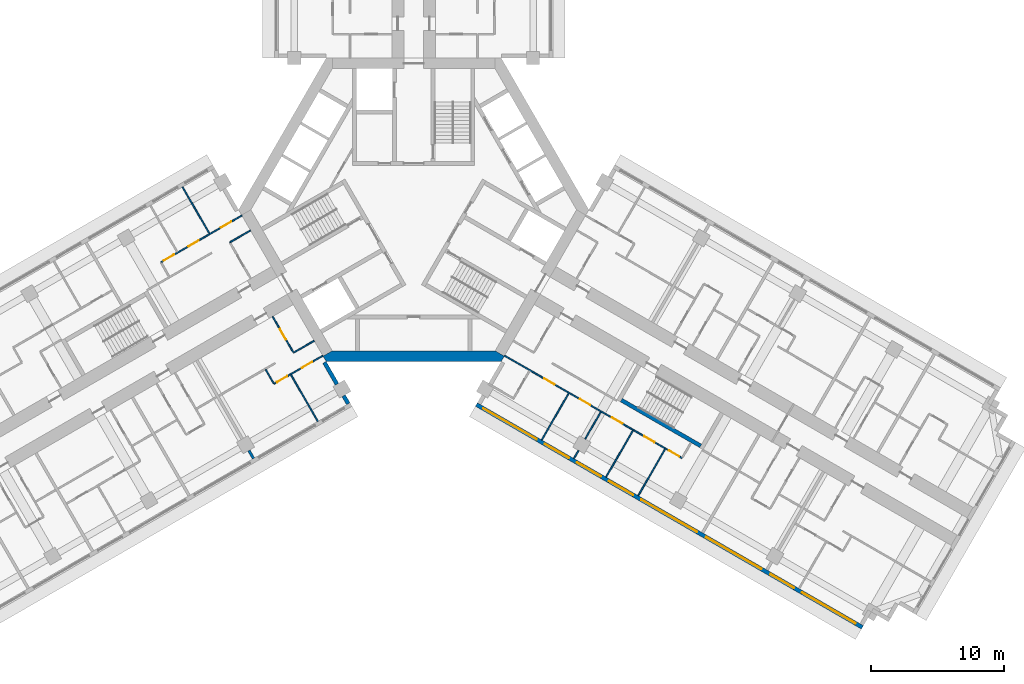
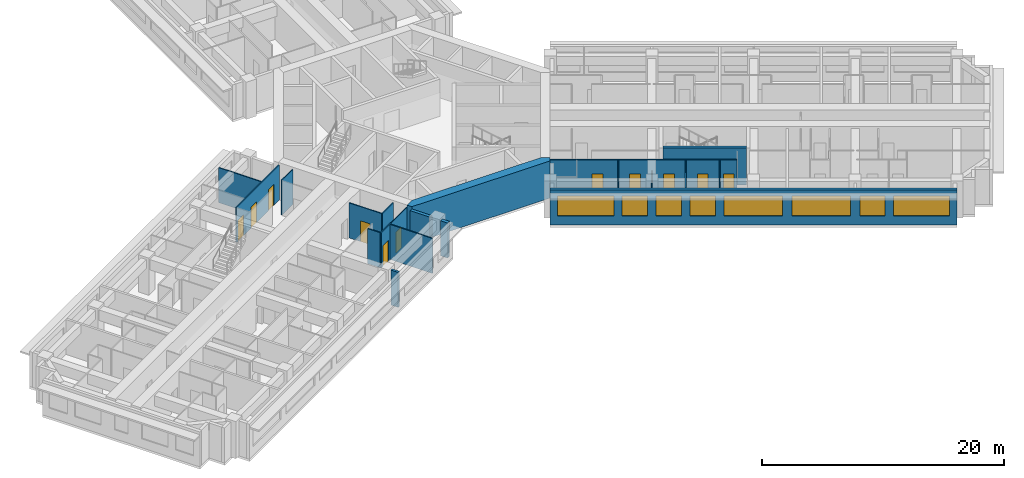
# One storey, part 6 of 15: 20 walls, 11 doors, 8 windows, 19 openings.
"""IFC4 building model written with IfcOpenShell, lengths in metres."""

from ifc_helpers import new_model, si_unit, direction, frame, frame_2d, origin, place, context, subcontext, project, spatial, polyline, rectangle, outline, extrude, material, layer, layer_set, type_object, element, fill, save


model = new_model("IFC4")

# Units and contexts
model_context = context("Model", 3, precision=1e-05, world=origin(), true_north=direction((0.0, 1.0)))
body_context = subcontext(model_context, "Body", "Model", "MODEL_VIEW")
ifc_project = project(units=[si_unit("LENGTHUNIT", "METRE"), si_unit("AREAUNIT", "SQUARE_METRE"), si_unit("VOLUMEUNIT", "CUBIC_METRE"), si_unit("PLANEANGLEUNIT", "RADIAN"), si_unit("MASSUNIT", "GRAM", prefix="KILO")], contexts=[model_context])

# Site, building, storey
site_placement = place(None, origin())
site = spatial("IfcSite", under=ifc_project, at=site_placement, CompositionType="ELEMENT")
building_placement = place(site_placement, origin())
building = spatial("IfcBuilding", under=site, at=building_placement, Name="Impinga Residences", CompositionType="ELEMENT")
storey_placement = place(building_placement, frame((0.0, 0.0, 109.75)))
storey = spatial("IfcBuildingStorey", under=building, at=storey_placement, Name="L26", CompositionType="ELEMENT", Elevation=109.75)

# Wall, openings, windows
ifc_material_1 = material(Name="Terracotta rainscreen on blockwork", Category="masonry")
ifc_layer_1 = layer(ifc_material_1, 0.300048828125)
ifc_layer_set_1 = layer_set([ifc_layer_1], Name="EW1 external wall, terracotta rainscreen on blockwork 300")
wall_type_1 = type_object("IfcWallType", Name="EW1 external wall, terracotta rainscreen on blockwork 300", PredefinedType="SOLIDWALL", material=ifc_layer_set_1)
wall_1_placement = place(storey_placement, frame((33.823486328125, -31.479248046875, 0.0), z_axis=(0.0, 0.0, 1.0), x_axis=(-0.866024291668, 0.500001926238, 0.0)))
wall_1 = element("IfcWall", 1, at=wall_1_placement, inside=storey, type_object=wall_type_1, Name="External wall EW1 L26", PredefinedType="SOLIDWALL", context=body_context, shape_type="SweptSolid", body=[
    extrude(rectangle(XDim=33.599853515625, YDim=0.300048828125, at=frame_2d((16.7998046875, 0.0))), origin(), (0.0, 0.0, 1.0), 3.530029296875),
])
opening_1_placement = place(wall_1_placement, frame((0.60009765625, 0.0, 0.89990234375)))
opening_1 = element("IfcOpeningElement", 2, at=opening_1_placement, cuts=wall_1, Name="Opening W10", PredefinedType="OPENING", context=body_context, shape_type="SweptSolid", body=[
    extrude(rectangle(XDim=4.64990234375, YDim=2.050048828125, at=frame_2d((2.324951171875, 1.02490234375))), frame((0.0, 0.159912109375, 0.0), z_axis=(0.0, -1.0, 0.0), x_axis=(1.0, 0.0, 0.0)), (0.0, 0.0, 1.0), 0.320068359375),
])
opening_2_placement = place(wall_1_placement, frame((5.949951171875, 0.0, 0.89990234375)))
opening_2 = element("IfcOpeningElement", 3, at=opening_2_placement, cuts=wall_1, Name="Opening W14", PredefinedType="OPENING", context=body_context, shape_type="SweptSolid", body=[
    extrude(rectangle(XDim=2.050048828125, YDim=2.050048828125, at=frame_2d((1.02490234375, 1.02490234375))), frame((0.0, 0.159912109375, 0.0), z_axis=(0.0, -1.0, 0.0), x_axis=(1.0, 0.0, 0.0)), (0.0, 0.0, 1.0), 0.320068359375),
])
opening_3_placement = place(wall_1_placement, frame((8.800048828125, 0.0, 0.89990234375)))
opening_3 = element("IfcOpeningElement", 4, at=opening_3_placement, cuts=wall_1, Name="Opening W8", PredefinedType="OPENING", context=body_context, shape_type="SweptSolid", body=[
    extrude(rectangle(XDim=4.800048828125, YDim=2.050048828125, at=frame_2d((2.39990234375, 1.02490234375))), frame((0.0, 0.159912109375, 0.0), z_axis=(0.0, -1.0, 0.0), x_axis=(1.0, 0.0, 0.0)), (0.0, 0.0, 1.0), 0.320068359375),
])
opening_4_placement = place(wall_1_placement, frame((14.39990234375, 0.0, 0.89990234375)))
opening_4 = element("IfcOpeningElement", 5, at=opening_4_placement, cuts=wall_1, Name="Opening W6", PredefinedType="OPENING", context=body_context, shape_type="SweptSolid", body=[
    extrude(rectangle(XDim=4.85009765625, YDim=2.050048828125, at=frame_2d((2.425048828125, 1.02490234375))), frame((0.0, 0.159912109375, 0.0), z_axis=(0.0, -1.0, 0.0), x_axis=(1.0, 0.0, 0.0)), (0.0, 0.0, 1.0), 0.320068359375),
])
opening_5_placement = place(wall_1_placement, frame((19.949951171875, 0.0, 0.89990234375)))
opening_5 = element("IfcOpeningElement", 6, at=opening_5_placement, cuts=wall_1, Name="Opening W9", PredefinedType="OPENING", context=body_context, shape_type="SweptSolid", body=[
    extrude(rectangle(XDim=2.10009765625, YDim=2.050048828125, at=frame_2d((1.050048828125, 1.02490234375))), frame((0.0, 0.159912109375, 0.0), z_axis=(0.0, -1.0, 0.0), x_axis=(1.0, 0.0, 0.0)), (0.0, 0.0, 1.0), 0.320068359375),
])
opening_6_placement = place(wall_1_placement, frame((22.75, 0.0, 0.89990234375)))
opening_6 = element("IfcOpeningElement", 7, at=opening_6_placement, cuts=wall_1, Name="Opening W9", PredefinedType="OPENING", context=body_context, shape_type="SweptSolid", body=[
    extrude(rectangle(XDim=2.10009765625, YDim=2.050048828125, at=frame_2d((1.050048828125, 1.02490234375))), frame((0.0, 0.159912109375, 0.0), z_axis=(0.0, -1.0, 0.0), x_axis=(1.0, 0.0, 0.0)), (0.0, 0.0, 1.0), 0.320068359375),
])
opening_7_placement = place(wall_1_placement, frame((25.550048828125, 0.0, 0.89990234375)))
opening_7 = element("IfcOpeningElement", 8, at=opening_7_placement, cuts=wall_1, Name="Opening W9", PredefinedType="OPENING", context=body_context, shape_type="SweptSolid", body=[
    extrude(rectangle(XDim=2.10009765625, YDim=2.050048828125, at=frame_2d((1.050048828125, 1.02490234375))), frame((0.0, 0.159912109375, 0.0), z_axis=(0.0, -1.0, 0.0), x_axis=(1.0, 0.0, 0.0)), (0.0, 0.0, 1.0), 0.320068359375),
])
opening_8_placement = place(wall_1_placement, frame((28.35009765625, 0.0, 0.89990234375)))
opening_8 = element("IfcOpeningElement", 9, at=opening_8_placement, cuts=wall_1, Name="Opening W10", PredefinedType="OPENING", context=body_context, shape_type="SweptSolid", body=[
    extrude(rectangle(XDim=4.64990234375, YDim=2.050048828125, at=frame_2d((2.324951171875, 1.02490234375))), frame((0.0, 0.159912109375, 0.0), z_axis=(0.0, -1.0, 0.0), x_axis=(1.0, 0.0, 0.0)), (0.0, 0.0, 1.0), 0.320068359375),
])
ifc_material_2 = material(Name="Aluminium window, clear double glazing", Category="aluminium")
window_type_1 = type_object("IfcWindowType", Name="W10 ribbon window 4650x2050", PartitioningType="SINGLE_PANEL", PredefinedType="WINDOW", material=ifc_material_2)
window_1_placement = place(opening_1_placement, origin())
window_1 = element("IfcWindow", 10, at=window_1_placement, inside=storey, type_object=window_type_1, Name="Window L26", OverallHeight=2.050048828125, OverallWidth=4.64990234375, PartitioningType="SINGLE_PANEL", PredefinedType="WINDOW", context=body_context, shape_type="SweptSolid", body=[
    extrude(rectangle(XDim=4.64990234375, YDim=2.050048828125, at=frame_2d((2.324951171875, 1.02490234375))), frame((0.0, 0.030029296875, 0.0), z_axis=(0.0, -1.0, 0.0), x_axis=(1.0, 0.0, 0.0)), (0.0, 0.0, 1.0), 0.06005859375),
])
fill(opening_1, window_1)
window_2_placement = place(opening_8_placement, origin())
window_2 = element("IfcWindow", 11, at=window_2_placement, inside=storey, type_object=window_type_1, Name="Window L26", OverallHeight=2.050048828125, OverallWidth=4.64990234375, PartitioningType="SINGLE_PANEL", PredefinedType="WINDOW", context=body_context, shape_type="SweptSolid", body=[
    extrude(rectangle(XDim=4.64990234375, YDim=2.050048828125, at=frame_2d((2.324951171875, 1.02490234375))), frame((0.0, 0.030029296875, 0.0), z_axis=(0.0, -1.0, 0.0), x_axis=(1.0, 0.0, 0.0)), (0.0, 0.0, 1.0), 0.06005859375),
])
fill(opening_8, window_2)
window_type_2 = type_object("IfcWindowType", Name="W14 ribbon window 2050x2050", PartitioningType="SINGLE_PANEL", PredefinedType="WINDOW", material=ifc_material_2)
window_3_placement = place(opening_2_placement, origin())
window_3 = element("IfcWindow", 12, at=window_3_placement, inside=storey, type_object=window_type_2, Name="Window L26", OverallHeight=2.050048828125, OverallWidth=2.050048828125, PartitioningType="SINGLE_PANEL", PredefinedType="WINDOW", context=body_context, shape_type="SweptSolid", body=[
    extrude(rectangle(XDim=2.050048828125, YDim=2.050048828125, at=frame_2d((1.02490234375, 1.02490234375))), frame((0.0, 0.030029296875, 0.0), z_axis=(0.0, -1.0, 0.0), x_axis=(1.0, 0.0, 0.0)), (0.0, 0.0, 1.0), 0.06005859375),
])
fill(opening_2, window_3)
window_type_3 = type_object("IfcWindowType", Name="W6 ribbon window 4850x2050", PartitioningType="SINGLE_PANEL", PredefinedType="WINDOW", material=ifc_material_2)
window_4_placement = place(opening_4_placement, origin())
window_4 = element("IfcWindow", 13, at=window_4_placement, inside=storey, type_object=window_type_3, Name="Window L26", OverallHeight=2.050048828125, OverallWidth=4.85009765625, PartitioningType="SINGLE_PANEL", PredefinedType="WINDOW", context=body_context, shape_type="SweptSolid", body=[
    extrude(rectangle(XDim=4.85009765625, YDim=2.050048828125, at=frame_2d((2.425048828125, 1.02490234375))), frame((0.0, 0.030029296875, 0.0), z_axis=(0.0, -1.0, 0.0), x_axis=(1.0, 0.0, 0.0)), (0.0, 0.0, 1.0), 0.06005859375),
])
fill(opening_4, window_4)
window_type_4 = type_object("IfcWindowType", Name="W8 ribbon window 4800x2050", PartitioningType="SINGLE_PANEL", PredefinedType="WINDOW", material=ifc_material_2)
window_5_placement = place(opening_3_placement, origin())
window_5 = element("IfcWindow", 14, at=window_5_placement, inside=storey, type_object=window_type_4, Name="Window L26", OverallHeight=2.050048828125, OverallWidth=4.800048828125, PartitioningType="SINGLE_PANEL", PredefinedType="WINDOW", context=body_context, shape_type="SweptSolid", body=[
    extrude(rectangle(XDim=4.800048828125, YDim=2.050048828125, at=frame_2d((2.39990234375, 1.02490234375))), frame((0.0, 0.030029296875, 0.0), z_axis=(0.0, -1.0, 0.0), x_axis=(1.0, 0.0, 0.0)), (0.0, 0.0, 1.0), 0.06005859375),
])
fill(opening_3, window_5)
window_type_5 = type_object("IfcWindowType", Name="W9 ribbon window 2100x2050", PartitioningType="SINGLE_PANEL", PredefinedType="WINDOW", material=ifc_material_2)
window_6_placement = place(opening_5_placement, origin())
window_6 = element("IfcWindow", 15, at=window_6_placement, inside=storey, type_object=window_type_5, Name="Window L26", OverallHeight=2.050048828125, OverallWidth=2.10009765625, PartitioningType="SINGLE_PANEL", PredefinedType="WINDOW", context=body_context, shape_type="SweptSolid", body=[
    extrude(rectangle(XDim=2.10009765625, YDim=2.050048828125, at=frame_2d((1.050048828125, 1.02490234375))), frame((0.0, 0.030029296875, 0.0), z_axis=(0.0, -1.0, 0.0), x_axis=(1.0, 0.0, 0.0)), (0.0, 0.0, 1.0), 0.06005859375),
])
fill(opening_5, window_6)
window_7_placement = place(opening_6_placement, origin())
window_7 = element("IfcWindow", 16, at=window_7_placement, inside=storey, type_object=window_type_5, Name="Window L26", OverallHeight=2.050048828125, OverallWidth=2.10009765625, PartitioningType="SINGLE_PANEL", PredefinedType="WINDOW", context=body_context, shape_type="SweptSolid", body=[
    extrude(rectangle(XDim=2.10009765625, YDim=2.050048828125, at=frame_2d((1.050048828125, 1.02490234375))), frame((0.0, 0.030029296875, 0.0), z_axis=(0.0, -1.0, 0.0), x_axis=(1.0, 0.0, 0.0)), (0.0, 0.0, 1.0), 0.06005859375),
])
fill(opening_6, window_7)
window_8_placement = place(opening_7_placement, origin())
window_8 = element("IfcWindow", 17, at=window_8_placement, inside=storey, type_object=window_type_5, Name="Window L26", OverallHeight=2.050048828125, OverallWidth=2.10009765625, PartitioningType="SINGLE_PANEL", PredefinedType="WINDOW", context=body_context, shape_type="SweptSolid", body=[
    extrude(rectangle(XDim=2.10009765625, YDim=2.050048828125, at=frame_2d((1.050048828125, 1.02490234375))), frame((0.0, 0.030029296875, 0.0), z_axis=(0.0, -1.0, 0.0), x_axis=(1.0, 0.0, 0.0)), (0.0, 0.0, 1.0), 0.06005859375),
])
fill(opening_7, window_8)

# Walls
wall_2_placement = place(storey_placement, frame((-6.72998046875, -11.506591796875, 0.0), z_axis=(0.0, 0.0, 1.0), x_axis=(0.500063520245, -0.865988727248, 0.0)))
element("IfcWall", 18, at=wall_2_placement, inside=storey, type_object=wall_type_1, Name="External wall EW1 L26", PredefinedType="SOLIDWALL", context=body_context, shape_type="SweptSolid", body=[
    extrude(rectangle(XDim=1.900146484375, YDim=0.300048828125, at=frame_2d((0.9501953125, 0.0))), origin(), (0.0, 0.0, 1.0), 3.530029296875),
])
wall_3_placement = place(storey_placement, frame((-5.27978515625, -14.01806640625, 0.0), z_axis=(0.0, 0.0, 1.0), x_axis=(0.499853302173, -0.866110083249, 0.0)))
element("IfcWall", 19, at=wall_3_placement, inside=storey, type_object=wall_type_1, Name="External wall EW1 L26", PredefinedType="SOLIDWALL", context=body_context, shape_type="SweptSolid", body=[
    extrude(rectangle(XDim=0.699951171875, YDim=0.300048828125, at=frame_2d((0.35009765625, 0.0))), origin(), (0.0, 0.0, 1.0), 3.530029296875),
])
ifc_material_3 = material(Name="Gypsum board on steel studs", Category="steel")
ifc_layer_2 = layer(ifc_material_3, 0.10009765625)
ifc_layer_set_2 = layer_set([ifc_layer_2], Name="Gypsum board on steel studs")
wall_type_2 = type_object("IfcWallType", Name="IP1 partition 100", PredefinedType="PARTITIONING", material=ifc_layer_set_2)
wall_4_placement = place(storey_placement, frame((-7.5, -9.872802734375, 0.0), z_axis=(0.0, 0.0, 1.0), x_axis=(-0.866047807691, -0.499961193289, 0.0)))
element("IfcWall", 20, at=wall_4_placement, inside=storey, type_object=wall_type_2, Name="Partition L26-WA1:DIV0", PredefinedType="PARTITIONING", context=body_context, shape_type="SweptSolid", body=[
    extrude(rectangle(XDim=1.800048828125, YDim=0.10009765625, at=frame_2d((0.89990234375, 0.0))), origin(), (0.0, 0.0, 1.0), 3.530029296875),
])

# Wall, openings, doors
wall_5_placement = place(storey_placement, frame((-6.85009765625, -10.99853515625, 0.0), z_axis=(0.0, 0.0, 1.0), x_axis=(-0.866014341725, -0.50001915956, 0.0)))
wall_5 = element("IfcWall", 21, at=wall_5_placement, inside=storey, type_object=wall_type_2, Name="Partition L26-WA1:STRIP", PredefinedType="PARTITIONING", context=body_context, shape_type="SweptSolid", body=[
    extrude(rectangle(XDim=4.249755859375, YDim=0.10009765625, at=frame_2d((2.125, 0.0))), origin(), (0.0, 0.0, 1.0), 3.530029296875),
])
opening_9_placement = place(wall_5_placement, frame((0.925048828125, 0.0, 0.0)))
opening_9 = element("IfcOpeningElement", 22, at=opening_9_placement, cuts=wall_5, Name="Opening D2", PredefinedType="OPENING", context=body_context, shape_type="SweptSolid", body=[
    extrude(rectangle(XDim=0.89990234375, YDim=2.10009765625, at=frame_2d((0.449951171875, 1.050048828125))), frame((0.0, 0.06005859375, 0.0), z_axis=(0.0, -1.0, 0.0), x_axis=(1.0, 0.0, 0.0)), (0.0, 0.0, 1.0), 0.1201171875),
])
opening_10_placement = place(wall_5_placement, frame((3.10009765625, 0.0, 0.0)))
opening_10 = element("IfcOpeningElement", 23, at=opening_10_placement, cuts=wall_5, Name="Opening D2", PredefinedType="OPENING", context=body_context, shape_type="SweptSolid", body=[
    extrude(rectangle(XDim=0.89990234375, YDim=2.10009765625, at=frame_2d((0.449951171875, 1.050048828125))), frame((0.0, 0.06005859375, 0.0), z_axis=(0.0, -1.0, 0.0), x_axis=(1.0, 0.0, 0.0)), (0.0, 0.0, 1.0), 0.1201171875),
])
ifc_material_4 = material(Name="Timber door set", Category="wood")
door_type = type_object("IfcDoorType", Name="D2 internal door 900x2100", OperationType="SINGLE_SWING_LEFT", PredefinedType="DOOR", material=ifc_material_4)
door_1_placement = place(opening_9_placement, origin())
door_1 = element("IfcDoor", 24, at=door_1_placement, inside=storey, type_object=door_type, Name="Apartment L26-WA1 room door", OperationType="SINGLE_SWING_LEFT", OverallHeight=2.10009765625, OverallWidth=0.89990234375, PredefinedType="DOOR", context=body_context, shape_type="SweptSolid", body=[
    extrude(rectangle(XDim=0.89990234375, YDim=2.10009765625, at=frame_2d((0.449951171875, 1.050048828125))), frame((0.0, 0.02490234375, 0.0), z_axis=(0.0, -1.0, 0.0), x_axis=(1.0, 0.0, 0.0)), (0.0, 0.0, 1.0), 0.050048828125),
])
fill(opening_9, door_1)
door_2_placement = place(opening_10_placement, origin())
door_2 = element("IfcDoor", 25, at=door_2_placement, inside=storey, type_object=door_type, Name="Apartment L26-WA1 room door", OperationType="SINGLE_SWING_RIGHT", OverallHeight=2.10009765625, OverallWidth=0.89990234375, PredefinedType="DOOR", context=body_context, shape_type="SweptSolid", body=[
    extrude(rectangle(XDim=0.89990234375, YDim=2.10009765625, at=frame_2d((0.449951171875, 1.050048828125))), frame((0.0, 0.02490234375, 0.0), z_axis=(0.0, -1.0, 0.0), x_axis=(1.0, 0.0, 0.0)), (0.0, 0.0, 1.0), 0.050048828125),
])
fill(opening_10, door_2)

# Wall
wall_6_placement = place(storey_placement, frame((-11.155517578125, -12.041015625, 0.0), z_axis=(0.0, 0.0, 1.0), x_axis=(0.499880961361, -0.866094119867, 0.0)))
element("IfcWall", 26, at=wall_6_placement, inside=storey, type_object=wall_type_2, Name="Partition L26-WA1:SE1", PredefinedType="PARTITIONING", context=body_context, shape_type="SweptSolid", body=[
    extrude(rectangle(XDim=1.199951171875, YDim=0.10009765625, at=frame_2d((0.60009765625, 0.0))), origin(), (0.0, 0.0, 1.0), 3.530029296875),
])

# Wall, opening, door
wall_7_placement = place(storey_placement, frame((-10.6337890625, -8.044677734375, 0.0), z_axis=(0.0, 0.0, 1.0), x_axis=(0.49999285859, -0.86602952684, 0.0)))
wall_7 = element("IfcWall", 27, at=wall_7_placement, inside=storey, type_object=wall_type_2, Name="Partition L26-WA1:IB1", PredefinedType="PARTITIONING", context=body_context, shape_type="SweptSolid", body=[
    extrude(rectangle(XDim=3.10009765625, YDim=0.10009765625, at=frame_2d((1.550048828125, 0.0))), origin(), (0.0, 0.0, 1.0), 3.530029296875),
])
opening_11_placement = place(wall_7_placement, frame((1.10009765625, 0.0, 0.0)))
opening_11 = element("IfcOpeningElement", 28, at=opening_11_placement, cuts=wall_7, Name="Opening D2", PredefinedType="OPENING", context=body_context, shape_type="SweptSolid", body=[
    extrude(rectangle(XDim=0.89990234375, YDim=2.10009765625, at=frame_2d((0.449951171875, 1.050048828125))), frame((0.0, 0.06005859375, 0.0), z_axis=(0.0, -1.0, 0.0), x_axis=(1.0, 0.0, 0.0)), (0.0, 0.0, 1.0), 0.1201171875),
])
door_3_placement = place(opening_11_placement, origin())
door_3 = element("IfcDoor", 29, at=door_3_placement, inside=storey, type_object=door_type, Name="Apartment L26-WA1 bathroom door", OperationType="SINGLE_SWING_LEFT", OverallHeight=2.10009765625, OverallWidth=0.89990234375, PredefinedType="DOOR", context=body_context, shape_type="SweptSolid", body=[
    extrude(rectangle(XDim=0.89990234375, YDim=2.10009765625, at=frame_2d((0.449951171875, 1.050048828125))), frame((0.0, 0.02490234375, 0.0), z_axis=(0.0, -1.0, 0.0), x_axis=(1.0, 0.0, 0.0)), (0.0, 0.0, 1.0), 0.050048828125),
])
fill(opening_11, door_3)

# Walls
wall_8_placement = place(storey_placement, frame((-9.249755859375, -12.44189453125, 0.0), z_axis=(0.0, 0.0, 1.0), x_axis=(0.499990325971, -0.866030989016, 0.0)))
element("IfcWall", 30, at=wall_8_placement, inside=storey, type_object=wall_type_2, Name="Partition L26-WA1:OB1", PredefinedType="PARTITIONING", context=body_context, shape_type="SweptSolid", body=[
    extrude(rectangle(XDim=4.0498046875, YDim=0.10009765625, at=frame_2d((2.02490234375, 0.0))), origin(), (0.0, 0.0, 1.0), 3.530029296875),
])
wall_9_placement = place(storey_placement, frame((-12.300048828125, -1.558837890625, 0.0), z_axis=(0.0, 0.0, 1.0), x_axis=(-0.866047807691, -0.499961193289, 0.0)))
element("IfcWall", 31, at=wall_9_placement, inside=storey, type_object=wall_type_2, Name="Partition L26-WF1:DIV0", PredefinedType="PARTITIONING", context=body_context, shape_type="SweptSolid", body=[
    extrude(rectangle(XDim=1.800048828125, YDim=0.10009765625, at=frame_2d((0.89990234375, 0.0))), origin(), (0.0, 0.0, 1.0), 3.530029296875),
])

# Wall, openings, doors
wall_10_placement = place(storey_placement, frame((-12.949951171875, -0.43310546875, 0.0), z_axis=(0.0, 0.0, 1.0), x_axis=(-0.866031034943, -0.499990246421, 0.0)))
wall_10 = element("IfcWall", 32, at=wall_10_placement, inside=storey, type_object=wall_type_2, Name="Partition L26-WF1:STRIP", PredefinedType="PARTITIONING", context=body_context, shape_type="SweptSolid", body=[
    extrude(rectangle(XDim=7.050048828125, YDim=0.10009765625, at=frame_2d((3.52490234375, 0.0))), origin(), (0.0, 0.0, 1.0), 3.530029296875),
])
opening_12_placement = place(wall_10_placement, frame((0.925048828125, 0.0, 0.0)))
opening_12 = element("IfcOpeningElement", 33, at=opening_12_placement, cuts=wall_10, Name="Opening D2", PredefinedType="OPENING", context=body_context, shape_type="SweptSolid", body=[
    extrude(rectangle(XDim=0.89990234375, YDim=2.10009765625, at=frame_2d((0.449951171875, 1.050048828125))), frame((0.0, 0.06005859375, 0.0), z_axis=(0.0, -1.0, 0.0), x_axis=(1.0, 0.0, 0.0)), (0.0, 0.0, 1.0), 0.1201171875),
])
opening_13_placement = place(wall_10_placement, frame((3.75, 0.0, 0.0)))
opening_13 = element("IfcOpeningElement", 34, at=opening_13_placement, cuts=wall_10, Name="Opening D2", PredefinedType="OPENING", context=body_context, shape_type="SweptSolid", body=[
    extrude(rectangle(XDim=0.89990234375, YDim=2.10009765625, at=frame_2d((0.449951171875, 1.050048828125))), frame((0.0, 0.06005859375, 0.0), z_axis=(0.0, -1.0, 0.0), x_axis=(1.0, 0.0, 0.0)), (0.0, 0.0, 1.0), 0.1201171875),
])
opening_14_placement = place(wall_10_placement, frame((5.89990234375, 0.0, 0.0)))
opening_14 = element("IfcOpeningElement", 35, at=opening_14_placement, cuts=wall_10, Name="Opening D2", PredefinedType="OPENING", context=body_context, shape_type="SweptSolid", body=[
    extrude(rectangle(XDim=0.89990234375, YDim=2.10009765625, at=frame_2d((0.449951171875, 1.050048828125))), frame((0.0, 0.06005859375, 0.0), z_axis=(0.0, -1.0, 0.0), x_axis=(1.0, 0.0, 0.0)), (0.0, 0.0, 1.0), 0.1201171875),
])
door_4_placement = place(opening_12_placement, origin())
door_4 = element("IfcDoor", 36, at=door_4_placement, inside=storey, type_object=door_type, Name="Apartment L26-WF1 room door", OperationType="SINGLE_SWING_LEFT", OverallHeight=2.10009765625, OverallWidth=0.89990234375, PredefinedType="DOOR", context=body_context, shape_type="SweptSolid", body=[
    extrude(rectangle(XDim=0.89990234375, YDim=2.10009765625, at=frame_2d((0.449951171875, 1.050048828125))), frame((0.0, 0.02490234375, 0.0), z_axis=(0.0, -1.0, 0.0), x_axis=(1.0, 0.0, 0.0)), (0.0, 0.0, 1.0), 0.050048828125),
])
fill(opening_12, door_4)
door_5_placement = place(opening_13_placement, origin())
door_5 = element("IfcDoor", 37, at=door_5_placement, inside=storey, type_object=door_type, Name="Apartment L26-WF1 room door", OperationType="SINGLE_SWING_RIGHT", OverallHeight=2.10009765625, OverallWidth=0.89990234375, PredefinedType="DOOR", context=body_context, shape_type="SweptSolid", body=[
    extrude(rectangle(XDim=0.89990234375, YDim=2.10009765625, at=frame_2d((0.449951171875, 1.050048828125))), frame((0.0, 0.02490234375, 0.0), z_axis=(0.0, -1.0, 0.0), x_axis=(1.0, 0.0, 0.0)), (0.0, 0.0, 1.0), 0.050048828125),
])
fill(opening_13, door_5)
door_6_placement = place(opening_14_placement, origin())
door_6 = element("IfcDoor", 38, at=door_6_placement, inside=storey, type_object=door_type, Name="Apartment L26-WF1 room door", OperationType="SINGLE_SWING_RIGHT", OverallHeight=2.10009765625, OverallWidth=0.89990234375, PredefinedType="DOOR", context=body_context, shape_type="SweptSolid", body=[
    extrude(rectangle(XDim=0.89990234375, YDim=2.10009765625, at=frame_2d((0.449951171875, 1.050048828125))), frame((0.0, 0.02490234375, 0.0), z_axis=(0.0, -1.0, 0.0), x_axis=(1.0, 0.0, 0.0)), (0.0, 0.0, 1.0), 0.050048828125),
])
fill(opening_14, door_6)

# Wall
wall_11_placement = place(storey_placement, frame((-15.39990234375, -1.789794921875, 0.0), z_axis=(0.0, 0.0, 1.0), x_axis=(-0.499964223975, 0.866046058097, 0.0)))
element("IfcWall", 39, at=wall_11_placement, inside=storey, type_object=wall_type_2, Name="Partition L26-WF1:OB1", PredefinedType="PARTITIONING", context=body_context, shape_type="SweptSolid", body=[
    extrude(rectangle(XDim=4.050048828125, YDim=0.10009765625, at=frame_2d((2.02490234375, 0.0))), origin(), (0.0, 0.0, 1.0), 3.530029296875),
])

# Wall, openings, doors
wall_12_placement = place(storey_placement, frame((6.85009765625, -10.99853515625, 0.0), z_axis=(0.0, 0.0, 1.0), x_axis=(0.866019273868, -0.500010617176, 0.0)))
wall_12 = element("IfcWall", 40, at=wall_12_placement, inside=storey, type_object=wall_type_2, Name="Partition L26-EF1:STRIP", PredefinedType="PARTITIONING", context=body_context, shape_type="SweptSolid", body=[
    extrude(rectangle(XDim=15.449951171875, YDim=0.10009765625, at=frame_2d((7.72509765625, 0.0))), origin(), (0.0, 0.0, 1.0), 3.530029296875),
])
opening_15_placement = place(wall_12_placement, frame((3.449951171875, 0.0, 0.0)))
opening_15 = element("IfcOpeningElement", 41, at=opening_15_placement, cuts=wall_12, Name="Opening D2", PredefinedType="OPENING", context=body_context, shape_type="SweptSolid", body=[
    extrude(rectangle(XDim=0.89990234375, YDim=2.10009765625, at=frame_2d((0.449951171875, 1.050048828125))), frame((0.0, 0.06005859375, 0.0), z_axis=(0.0, -1.0, 0.0), x_axis=(1.0, 0.0, 0.0)), (0.0, 0.0, 1.0), 0.1201171875),
])
opening_16_placement = place(wall_12_placement, frame((6.550048828125, 0.0, 0.0)))
opening_16 = element("IfcOpeningElement", 42, at=opening_16_placement, cuts=wall_12, Name="Opening D2", PredefinedType="OPENING", context=body_context, shape_type="SweptSolid", body=[
    extrude(rectangle(XDim=0.89990234375, YDim=2.10009765625, at=frame_2d((0.449951171875, 1.050048828125))), frame((0.0, 0.06005859375, 0.0), z_axis=(0.0, -1.0, 0.0), x_axis=(1.0, 0.0, 0.0)), (0.0, 0.0, 1.0), 0.1201171875),
])
opening_17_placement = place(wall_12_placement, frame((9.35009765625, 0.0, 0.0)))
opening_17 = element("IfcOpeningElement", 43, at=opening_17_placement, cuts=wall_12, Name="Opening D2", PredefinedType="OPENING", context=body_context, shape_type="SweptSolid", body=[
    extrude(rectangle(XDim=0.89990234375, YDim=2.10009765625, at=frame_2d((0.449951171875, 1.050048828125))), frame((0.0, 0.06005859375, 0.0), z_axis=(0.0, -1.0, 0.0), x_axis=(1.0, 0.0, 0.0)), (0.0, 0.0, 1.0), 0.1201171875),
])
opening_18_placement = place(wall_12_placement, frame((12.14990234375, 0.0, 0.0)))
opening_18 = element("IfcOpeningElement", 44, at=opening_18_placement, cuts=wall_12, Name="Opening D2", PredefinedType="OPENING", context=body_context, shape_type="SweptSolid", body=[
    extrude(rectangle(XDim=0.89990234375, YDim=2.10009765625, at=frame_2d((0.449951171875, 1.050048828125))), frame((0.0, 0.06005859375, 0.0), z_axis=(0.0, -1.0, 0.0), x_axis=(1.0, 0.0, 0.0)), (0.0, 0.0, 1.0), 0.1201171875),
])
opening_19_placement = place(wall_12_placement, frame((14.300048828125, 0.0, 0.0)))
opening_19 = element("IfcOpeningElement", 45, at=opening_19_placement, cuts=wall_12, Name="Opening D2", PredefinedType="OPENING", context=body_context, shape_type="SweptSolid", body=[
    extrude(rectangle(XDim=0.89990234375, YDim=2.10009765625, at=frame_2d((0.449951171875, 1.050048828125))), frame((0.0, 0.06005859375, 0.0), z_axis=(0.0, -1.0, 0.0), x_axis=(1.0, 0.0, 0.0)), (0.0, 0.0, 1.0), 0.1201171875),
])
door_7_placement = place(opening_15_placement, origin())
door_7 = element("IfcDoor", 46, at=door_7_placement, inside=storey, type_object=door_type, Name="Apartment L26-EF1 room door", OperationType="SINGLE_SWING_LEFT", OverallHeight=2.10009765625, OverallWidth=0.89990234375, PredefinedType="DOOR", context=body_context, shape_type="SweptSolid", body=[
    extrude(rectangle(XDim=0.89990234375, YDim=2.10009765625, at=frame_2d((0.449951171875, 1.050048828125))), frame((0.0, 0.02490234375, 0.0), z_axis=(0.0, -1.0, 0.0), x_axis=(1.0, 0.0, 0.0)), (0.0, 0.0, 1.0), 0.050048828125),
])
fill(opening_15, door_7)
door_8_placement = place(opening_16_placement, origin())
door_8 = element("IfcDoor", 47, at=door_8_placement, inside=storey, type_object=door_type, Name="Apartment L26-EF1 room door", OperationType="SINGLE_SWING_LEFT", OverallHeight=2.10009765625, OverallWidth=0.89990234375, PredefinedType="DOOR", context=body_context, shape_type="SweptSolid", body=[
    extrude(rectangle(XDim=0.89990234375, YDim=2.10009765625, at=frame_2d((0.449951171875, 1.050048828125))), frame((0.0, 0.02490234375, 0.0), z_axis=(0.0, -1.0, 0.0), x_axis=(1.0, 0.0, 0.0)), (0.0, 0.0, 1.0), 0.050048828125),
])
fill(opening_16, door_8)
door_9_placement = place(opening_17_placement, origin())
door_9 = element("IfcDoor", 48, at=door_9_placement, inside=storey, type_object=door_type, Name="Apartment L26-EF1 room door", OperationType="SINGLE_SWING_RIGHT", OverallHeight=2.10009765625, OverallWidth=0.89990234375, PredefinedType="DOOR", context=body_context, shape_type="SweptSolid", body=[
    extrude(rectangle(XDim=0.89990234375, YDim=2.10009765625, at=frame_2d((0.449951171875, 1.050048828125))), frame((0.0, 0.02490234375, 0.0), z_axis=(0.0, -1.0, 0.0), x_axis=(1.0, 0.0, 0.0)), (0.0, 0.0, 1.0), 0.050048828125),
])
fill(opening_17, door_9)
door_10_placement = place(opening_18_placement, origin())
door_10 = element("IfcDoor", 49, at=door_10_placement, inside=storey, type_object=door_type, Name="Apartment L26-EF1 room door", OperationType="SINGLE_SWING_RIGHT", OverallHeight=2.10009765625, OverallWidth=0.89990234375, PredefinedType="DOOR", context=body_context, shape_type="SweptSolid", body=[
    extrude(rectangle(XDim=0.89990234375, YDim=2.10009765625, at=frame_2d((0.449951171875, 1.050048828125))), frame((0.0, 0.02490234375, 0.0), z_axis=(0.0, -1.0, 0.0), x_axis=(1.0, 0.0, 0.0)), (0.0, 0.0, 1.0), 0.050048828125),
])
fill(opening_18, door_10)
door_11_placement = place(opening_19_placement, origin())
door_11 = element("IfcDoor", 50, at=door_11_placement, inside=storey, type_object=door_type, Name="Apartment L26-EF1 room door", OperationType="SINGLE_SWING_RIGHT", OverallHeight=2.10009765625, OverallWidth=0.89990234375, PredefinedType="DOOR", context=body_context, shape_type="SweptSolid", body=[
    extrude(rectangle(XDim=0.89990234375, YDim=2.10009765625, at=frame_2d((0.449951171875, 1.050048828125))), frame((0.0, 0.02490234375, 0.0), z_axis=(0.0, -1.0, 0.0), x_axis=(1.0, 0.0, 0.0)), (0.0, 0.0, 1.0), 0.050048828125),
])
fill(opening_19, door_11)

# Walls
wall_13_placement = place(storey_placement, frame((11.6748046875, -13.841796875, 0.0), z_axis=(0.0, 0.0, 1.0), x_axis=(-0.500035537042, -0.866004885491, 0.0)))
element("IfcWall", 51, at=wall_13_placement, inside=storey, type_object=wall_type_2, Name="Partition L26-EF1:OB1", PredefinedType="PARTITIONING", context=body_context, shape_type="SweptSolid", body=[
    extrude(rectangle(XDim=4.050048828125, YDim=0.10009765625, at=frame_2d((2.02490234375, 0.0))), origin(), (0.0, 0.0, 1.0), 3.530029296875),
])
wall_14_placement = place(storey_placement, frame((14.099609375, -15.241943359375, 0.0), z_axis=(0.0, 0.0, 1.0), x_axis=(-0.500016218704, -0.866016039709, 0.0)))
element("IfcWall", 52, at=wall_14_placement, inside=storey, type_object=wall_type_2, Name="Partition L26-EF1:OB2", PredefinedType="PARTITIONING", context=body_context, shape_type="SweptSolid", body=[
    extrude(rectangle(XDim=2.35009765625, YDim=0.10009765625, at=frame_2d((1.175048828125, 0.0))), origin(), (0.0, 0.0, 1.0), 2.47998046875),
])
wall_15_placement = place(storey_placement, frame((12.424560546875, -18.14306640625, 0.0), z_axis=(0.0, 0.0, 1.0), x_axis=(-0.499853302173, -0.866110083249, 0.0)))
element("IfcWall", 53, at=wall_15_placement, inside=storey, type_object=wall_type_2, Name="Partition L26-EF1:OB2b", PredefinedType="PARTITIONING", context=body_context, shape_type="SweptSolid", body=[
    extrude(rectangle(XDim=0.699951171875, YDim=0.10009765625, at=frame_2d((0.35009765625, 0.0))), origin(), (0.0, 0.0, 1.0), 3.530029296875),
])
wall_16_placement = place(storey_placement, frame((16.5244140625, -16.641845703125, 0.0), z_axis=(0.0, 0.0, 1.0), x_axis=(-0.499990325971, -0.866030989016, 0.0)))
element("IfcWall", 54, at=wall_16_placement, inside=storey, type_object=wall_type_2, Name="Partition L26-EF1:OB3", PredefinedType="PARTITIONING", context=body_context, shape_type="SweptSolid", body=[
    extrude(rectangle(XDim=4.0498046875, YDim=0.10009765625, at=frame_2d((2.02490234375, 0.0))), origin(), (0.0, 0.0, 1.0), 3.530029296875),
])
wall_17_placement = place(storey_placement, frame((18.949462890625, -18.041748046875, 0.0), z_axis=(0.0, 0.0, 1.0), x_axis=(-0.50000943426, -0.866019956843, 0.0)))
element("IfcWall", 55, at=wall_17_placement, inside=storey, type_object=wall_type_2, Name="Partition L26-EF1:OB4", PredefinedType="PARTITIONING", context=body_context, shape_type="SweptSolid", body=[
    extrude(rectangle(XDim=4.05029296875, YDim=0.10009765625, at=frame_2d((2.025146484375, 0.0))), origin(), (0.0, 0.0, 1.0), 3.530029296875),
])
ifc_material_5 = material(Name="Concrete blockwork", Category="masonry")
ifc_layer_3 = layer(ifc_material_5, 0.199951171875)
ifc_layer_set_3 = layer_set([ifc_layer_3], Name="PW1 party wall between apartments 200")
wall_type_3 = type_object("IfcWallType", Name="PW1 party wall between apartments 200", PredefinedType="SOLIDWALL", material=ifc_layer_set_3)
wall_18_placement = place(storey_placement, frame((-12.424560546875, -18.14306640625, 0.0), z_axis=(0.0, 0.0, 1.0), x_axis=(0.499853302173, -0.866110083249, 0.0)))
element("IfcWall", 56, at=wall_18_placement, inside=storey, type_object=wall_type_3, Name="Party wall between apartments L26-WA1:PARTYb", PredefinedType="SOLIDWALL", context=body_context, shape_type="SweptSolid", body=[
    extrude(rectangle(XDim=0.699951171875, YDim=0.199951171875, at=frame_2d((0.35009765625, 0.0))), origin(), (0.0, 0.0, 1.0), 3.530029296875),
])
ifc_material_6 = material(Name="Concrete C60/75", Category="concrete")
ifc_layer_4 = layer(ifc_material_6, 0.300048828125)
ifc_layer_set_4 = layer_set([ifc_layer_4], Name="Concrete C60/75")
wall_type_4 = type_object("IfcWallType", Name="SE1 wing stair enclosure wall 300", PredefinedType="SOLIDWALL", material=ifc_layer_set_4)
wall_19_placement = place(storey_placement, frame((15.654052734375, -14.349365234375, 0.0), z_axis=(0.0, 0.0, 1.0), x_axis=(0.866013532718, -0.500020560727, 0.0)))
element("IfcWall", 57, at=wall_19_placement, inside=storey, type_object=wall_type_4, Name="Stair enclosure wall SE1 E OUT L26", PredefinedType="SOLIDWALL", context=body_context, shape_type="SweptSolid", body=[
    extrude(rectangle(XDim=6.900146484375, YDim=0.300048828125, at=frame_2d((3.4501953125, 0.0))), origin(), (0.0, 0.0, 1.0), 3.75),
])
ifc_layer_5 = layer(ifc_material_6, 0.800048828125)
ifc_layer_set_5 = layer_set([ifc_layer_5], Name="Concrete C60/75")
wall_type_5 = type_object("IfcWallType", Name="SW2 core wall 800", PredefinedType="SHEAR", material=ifc_layer_set_5)
wall_20_placement = place(storey_placement, origin())
element("IfcWall", 58, at=wall_20_placement, inside=storey, type_object=wall_type_5, Name="Core wall SW2 N:EXPOSED L26", PredefinedType="SHEAR", context=body_context, shape_type="SweptSolid", body=[
    extrude(outline(polyline([(-6.60009765625, -11.431640625), (6.60009765625, -11.431640625), (6.8310546875, -11.031494140625), (6.13818359375, -10.631591796875), (-6.13818359375, -10.631591796875), (-6.8310546875, -11.031494140625), (-6.60009765625, -11.431640625)])), origin(), (0.0, 0.0, 1.0), 3.75),
])

save(model, "model.ifc")
